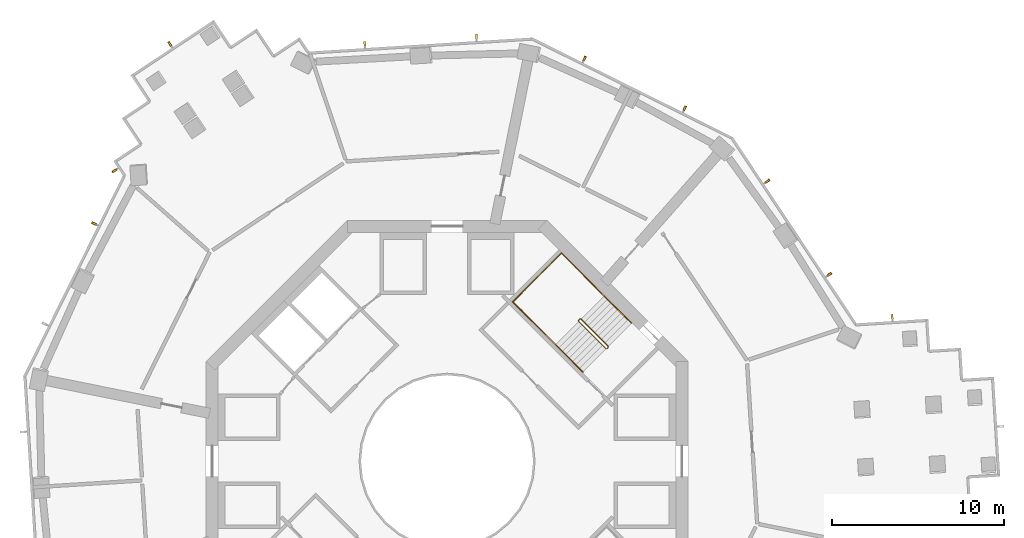
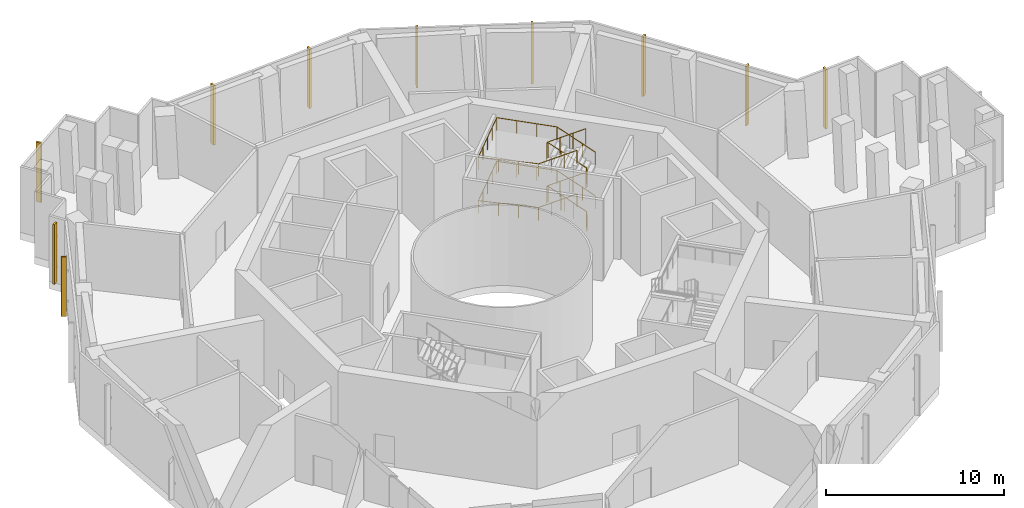
# One storey, part 16 of 16: 10 shading devices, 3 railings.
"""IFC4 building model written with IfcOpenShell, lengths in metres."""

from ifc_helpers import new_model, si_unit, direction, frame, origin, origin_2d, place, context, subcontext, project, spatial, rectangle, circle, extrude, material, material_profile, profile_set, type_object, element, save


model = new_model("IFC4")

# Units and contexts
model_context = context("Model", 3, precision=1e-05, world=origin(), true_north=direction((0.0, 1.0)))
body_context = subcontext(model_context, "Body", "Model", "MODEL_VIEW")
ifc_project = project(units=[si_unit("LENGTHUNIT", "METRE"), si_unit("AREAUNIT", "SQUARE_METRE"), si_unit("VOLUMEUNIT", "CUBIC_METRE"), si_unit("PLANEANGLEUNIT", "RADIAN"), si_unit("MASSUNIT", "GRAM", prefix="KILO")], contexts=[model_context])

# Site, building, storey
site_placement = place(None, origin())
site = spatial("IfcSite", under=ifc_project, at=site_placement, CompositionType="ELEMENT")
building_placement = place(site_placement, origin())
building = spatial("IfcBuilding", under=site, at=building_placement, Name="Verdalira Terraces Hotel", CompositionType="ELEMENT")
storey_placement = place(building_placement, frame((0.0, 0.0, 169.0)))
storey = spatial("IfcBuildingStorey", under=building, at=storey_placement, Name="L41", CompositionType="ELEMENT", Elevation=169.0)

# Railings
ifc_material_1 = material(Name="Stainless steel", Category="steel")
railing_type_1 = type_object("IfcRailingType", Name="Stair guard 1100", PredefinedType="GUARDRAIL", material=ifc_material_1)
railing_1_placement = place(storey_placement, frame((9.369141, 6.611328, 0.0)))
element("IfcRailing", 1, at=railing_1_placement, inside=storey, type_object=railing_type_1, Name="L41 ST1 stair guard 1", PredefinedType="GUARDRAIL", context=body_context, shape_type="SweptSolid", body=[
    extrude(circle(Radius=0.023926, at=origin_2d()), frame((0.0, 0.0, 1.076172), z_axis=(-0.70832698, -0.705884473, 0.0), x_axis=(0.705884473, -0.70832698, 0.0)), (0.0, 0.0, 1.0), 0.099854),
    extrude(circle(Radius=0.023926, at=origin_2d()), frame((-0.070801, -0.070557, 1.076172), z_axis=(0.308122069, 0.615181649, 0.725680598), x_axis=(-0.894118129, 0.447831187, 0.0)), (0.0, 0.0, 1.0), 0.229736),
    extrude(circle(Radius=0.023926, at=origin_2d()), frame((0.0, 0.070801, 1.242676), z_axis=(-0.607628069, 0.607628069, 0.511445266), x_axis=(-0.707106781, -0.707106781, 0.0)), (0.0, 0.0, 1.0), 2.606934),
    extrude(circle(Radius=0.023926, at=origin_2d()), frame((-1.583984, 1.654785, 2.576172), z_axis=(-1.0, 0.0, 0.0), x_axis=(0.0, -1.0, 0.0)), (0.0, 0.0, 1.0), 0.070557),
    extrude(circle(Radius=0.023926, at=origin_2d()), frame((-1.654541, 1.654785, 2.576172), z_axis=(-0.707106781, -0.707106781, 0.0), x_axis=(0.707106781, -0.707106781, 0.0)), (0.0, 0.0, 1.0), 0.100098),
    extrude(circle(Radius=0.023926, at=origin_2d()), frame((-1.725342, 1.583984, 2.576172), z_axis=(0.0, -0.389683978, 0.92094864), x_axis=(1.0, 0.0, 0.0)), (0.0, 0.0, 1.0), 0.181152),
    extrude(circle(Radius=0.023926, at=origin_2d()), frame((-1.725342, 1.513428, 2.742676), z_axis=(0.607628069, -0.607628069, 0.511445266), x_axis=(0.707106781, 0.707106781, 0.0)), (0.0, 0.0, 1.0), 2.606934),
    extrude(circle(Radius=0.023926, at=origin_2d()), frame((-0.141357, -0.070557, 4.076172), z_axis=(1.0, 0.0, 0.0), x_axis=(0.0, 1.0, 0.0)), (0.0, 0.0, 1.0), 0.070557),
    extrude(circle(Radius=0.023926, at=origin_2d()), frame((-0.070801, -0.070557, 4.076172), z_axis=(0.70832698, 0.705884473, 0.0), x_axis=(-0.705884473, 0.70832698, 0.0)), (0.0, 0.0, 1.0), 0.099854),
    extrude(circle(Radius=0.023926, at=origin_2d()), frame((0.0, 0.0, 4.076172), z_axis=(0.0, 0.390826706, 0.920464277), x_axis=(-1.0, 0.0, 0.0)), (0.0, 0.0, 1.0), 0.181152),
    extrude(circle(Radius=0.023926, at=origin_2d()), frame((0.0, 0.070801, 4.242676), z_axis=(-0.607628069, 0.607628069, 0.511445266), x_axis=(-0.707106781, -0.707106781, 0.0)), (0.0, 0.0, 1.0), 2.606934),
    extrude(circle(Radius=0.023926, at=origin_2d()), frame((-1.583984, 1.654785, 5.576172), z_axis=(-1.0, 0.0, 0.0), x_axis=(0.0, -1.0, 0.0)), (0.0, 0.0, 1.0), 0.070557),
    extrude(circle(Radius=0.023926, at=origin_2d()), frame((-1.654541, 1.654785, 5.576172), z_axis=(-0.707106781, -0.707106781, 0.0), x_axis=(0.707106781, -0.707106781, 0.0)), (0.0, 0.0, 1.0), 0.100098),
    extrude(circle(Radius=0.023926, at=origin_2d()), frame((-1.725342, 1.583984, 5.576172), z_axis=(0.0, -0.389683978, 0.92094864), x_axis=(1.0, 0.0, 0.0)), (0.0, 0.0, 1.0), 0.181152),
    extrude(circle(Radius=0.023926, at=origin_2d()), frame((-1.725342, 1.513428, 5.742676), z_axis=(0.607628069, -0.607628069, 0.511445266), x_axis=(0.707106781, 0.707106781, 0.0)), (0.0, 0.0, 1.0), 2.606934),
    extrude(circle(Radius=0.020996, at=origin_2d()), origin(), (0.0, 0.0, 1.0), 1.052002),
    extrude(circle(Radius=0.020996, at=origin_2d()), frame((-0.070801, -0.070557, 0.0)), (0.0, 0.0, 1.0), 1.052002),
    extrude(circle(Radius=0.020996, at=origin_2d()), frame((0.0, 0.070801, 0.166748)), (0.0, 0.0, 1.0), 1.052002),
    extrude(circle(Radius=0.020996, at=origin_2d()), frame((-0.528076, 0.598877, 0.611084)), (0.0, 0.0, 1.0), 1.052002),
    extrude(circle(Radius=0.020996, at=origin_2d()), frame((-1.055908, 1.126709, 1.055664)), (0.0, 0.0, 1.0), 1.052002),
    extrude(circle(Radius=0.020996, at=origin_2d()), frame((-1.583984, 1.654785, 1.5)), (0.0, 0.0, 1.0), 1.052002),
    extrude(circle(Radius=0.020996, at=origin_2d()), frame((-1.654541, 1.654785, 1.5)), (0.0, 0.0, 1.0), 1.052002),
    extrude(circle(Radius=0.020996, at=origin_2d()), frame((-1.725342, 1.583984, 1.5)), (0.0, 0.0, 1.0), 1.052002),
    extrude(circle(Radius=0.020996, at=origin_2d()), frame((-1.725342, 1.513428, 1.666748)), (0.0, 0.0, 1.0), 1.052002),
    extrude(circle(Radius=0.020996, at=origin_2d()), frame((-1.197266, 0.985352, 2.111084)), (0.0, 0.0, 1.0), 1.052002),
    extrude(circle(Radius=0.020996, at=origin_2d()), frame((-0.669434, 0.45752, 2.555664)), (0.0, 0.0, 1.0), 1.052002),
    extrude(circle(Radius=0.020996, at=origin_2d()), frame((-0.141357, -0.070557, 3.0)), (0.0, 0.0, 1.0), 1.052002),
    extrude(circle(Radius=0.020996, at=origin_2d()), frame((-0.070801, -0.070557, 3.0)), (0.0, 0.0, 1.0), 1.052002),
    extrude(circle(Radius=0.020996, at=origin_2d()), frame((0.0, 0.0, 3.0)), (0.0, 0.0, 1.0), 1.052002),
    extrude(circle(Radius=0.020996, at=origin_2d()), frame((0.0, 0.070801, 3.166748)), (0.0, 0.0, 1.0), 1.052002),
    extrude(circle(Radius=0.020996, at=origin_2d()), frame((-0.528076, 0.598877, 3.611084)), (0.0, 0.0, 1.0), 1.052002),
    extrude(circle(Radius=0.020996, at=origin_2d()), frame((-1.055908, 1.126709, 4.055664)), (0.0, 0.0, 1.0), 1.052002),
    extrude(circle(Radius=0.020996, at=origin_2d()), frame((-1.583984, 1.654785, 4.5)), (0.0, 0.0, 1.0), 1.052002),
    extrude(circle(Radius=0.020996, at=origin_2d()), frame((-1.654541, 1.654785, 4.5)), (0.0, 0.0, 1.0), 1.052002),
    extrude(circle(Radius=0.020996, at=origin_2d()), frame((-1.725342, 1.583984, 4.5)), (0.0, 0.0, 1.0), 1.052002),
    extrude(circle(Radius=0.020996, at=origin_2d()), frame((-1.725342, 1.513428, 4.666748)), (0.0, 0.0, 1.0), 1.052002),
    extrude(circle(Radius=0.020996, at=origin_2d()), frame((-1.197266, 0.985352, 5.111084)), (0.0, 0.0, 1.0), 1.052002),
    extrude(circle(Radius=0.020996, at=origin_2d()), frame((-0.669434, 0.45752, 5.555664)), (0.0, 0.0, 1.0), 1.052002),
    extrude(circle(Radius=0.020996, at=origin_2d()), frame((-0.141357, -0.070557, 6.0)), (0.0, 0.0, 1.0), 1.052002),
])
ifc_material_2 = material(Name="Stainless steel", Category="steel")
railing_type_2 = type_object("IfcRailingType", Name="Stair handrail 900", PredefinedType="HANDRAIL", material=ifc_material_2)
railing_2_placement = place(storey_placement, frame((10.712646, 8.025635, 0.166748)))
element("IfcRailing", 2, at=railing_2_placement, inside=storey, type_object=railing_type_2, Name="L41 ST1 stair handrail 1", PredefinedType="HANDRAIL", context=body_context, shape_type="SweptSolid", body=[
    extrude(circle(Radius=0.023926, at=origin_2d()), frame((0.0, 0.0, 0.875977), z_axis=(-0.607628069, 0.607628069, 0.511445266), x_axis=(-0.707106781, -0.707106781, 0.0)), (0.0, 0.0, 1.0), 2.606934),
    extrude(circle(Radius=0.023926, at=origin_2d()), frame((-1.583984, 1.583984, 2.208984), z_axis=(-0.707106781, 0.707106781, 0.0), x_axis=(-0.707106781, -0.707106781, 0.0)), (0.0, 0.0, 1.0), 3.51001),
    extrude(circle(Radius=0.023926, at=origin_2d()), frame((-4.065918, 4.065918, 2.208984), z_axis=(-0.707106781, -0.707106781, 0.0), x_axis=(0.707106781, -0.707106781, 0.0)), (0.0, 0.0, 1.0), 4.0),
    extrude(circle(Radius=0.023926, at=origin_2d()), frame((-6.894287, 1.237549, 2.208984), z_axis=(0.706310197, -0.706310197, 0.047453262), x_axis=(0.707106781, 0.707106781, 0.0)), (0.0, 0.0, 1.0), 3.513916),
    extrude(circle(Radius=0.023926, at=origin_2d()), frame((-4.412354, -1.244385, 2.375977), z_axis=(0.607628069, -0.607628069, 0.511445266), x_axis=(0.707106781, 0.707106781, 0.0)), (0.0, 0.0, 1.0), 2.606934),
    extrude(circle(Radius=0.020996, at=origin_2d()), origin(), (0.0, 0.0, 1.0), 0.851807),
    extrude(circle(Radius=0.020996, at=origin_2d()), frame((-0.528076, 0.528076, 0.444336)), (0.0, 0.0, 1.0), 0.851807),
    extrude(circle(Radius=0.020996, at=origin_2d()), frame((-1.055908, 1.055908, 0.888916)), (0.0, 0.0, 1.0), 0.851807),
    extrude(circle(Radius=0.020996, at=origin_2d()), frame((-1.583984, 1.583984, 1.333252)), (0.0, 0.0, 1.0), 0.851807),
    extrude(circle(Radius=0.020996, at=origin_2d()), frame((-2.411377, 2.411377, 1.333252)), (0.0, 0.0, 1.0), 0.851807),
    extrude(circle(Radius=0.020996, at=origin_2d()), frame((-3.238525, 3.238525, 1.333252)), (0.0, 0.0, 1.0), 0.851807),
    extrude(circle(Radius=0.020996, at=origin_2d()), frame((-4.065918, 4.065918, 1.333252)), (0.0, 0.0, 1.0), 0.851807),
    extrude(circle(Radius=0.020996, at=origin_2d()), frame((-4.772949, 3.358887, 1.333252)), (0.0, 0.0, 1.0), 0.851807),
    extrude(circle(Radius=0.020996, at=origin_2d()), frame((-5.47998, 2.651855, 1.333252)), (0.0, 0.0, 1.0), 0.851807),
    extrude(circle(Radius=0.020996, at=origin_2d()), frame((-6.187256, 1.94458, 1.333252)), (0.0, 0.0, 1.0), 0.851807),
    extrude(circle(Radius=0.020996, at=origin_2d()), frame((-6.894287, 1.237549, 1.333252)), (0.0, 0.0, 1.0), 0.851807),
    extrude(circle(Radius=0.020996, at=origin_2d()), frame((-6.066895, 0.410156, 1.388916)), (0.0, 0.0, 1.0), 0.851807),
    extrude(circle(Radius=0.020996, at=origin_2d()), frame((-5.239746, -0.416992, 1.444336)), (0.0, 0.0, 1.0), 0.851807),
    extrude(circle(Radius=0.020996, at=origin_2d()), frame((-4.412354, -1.244385, 1.5)), (0.0, 0.0, 1.0), 0.851807),
    extrude(circle(Radius=0.020996, at=origin_2d()), frame((-3.884277, -1.772461, 1.944336)), (0.0, 0.0, 1.0), 0.851807),
    extrude(circle(Radius=0.020996, at=origin_2d()), frame((-3.356445, -2.300293, 2.388916)), (0.0, 0.0, 1.0), 0.851807),
    extrude(circle(Radius=0.020996, at=origin_2d()), frame((-2.828369, -2.828369, 2.833252)), (0.0, 0.0, 1.0), 0.851807),
])
railing_3_placement = place(storey_placement, frame((10.712646, 8.025635, 3.166748)))
element("IfcRailing", 3, at=railing_3_placement, inside=storey, type_object=railing_type_2, Name="L41 ST1 stair handrail 2", PredefinedType="HANDRAIL", context=body_context, shape_type="SweptSolid", body=[
    extrude(circle(Radius=0.023926, at=origin_2d()), frame((0.0, 0.0, 0.875977), z_axis=(-0.607628069, 0.607628069, 0.511445266), x_axis=(-0.707106781, -0.707106781, 0.0)), (0.0, 0.0, 1.0), 2.606934),
    extrude(circle(Radius=0.023926, at=origin_2d()), frame((-1.583984, 1.583984, 2.208984), z_axis=(-0.707106781, 0.707106781, 0.0), x_axis=(-0.707106781, -0.707106781, 0.0)), (0.0, 0.0, 1.0), 3.51001),
    extrude(circle(Radius=0.023926, at=origin_2d()), frame((-4.065918, 4.065918, 2.208984), z_axis=(-0.707106781, -0.707106781, 0.0), x_axis=(0.707106781, -0.707106781, 0.0)), (0.0, 0.0, 1.0), 4.0),
    extrude(circle(Radius=0.023926, at=origin_2d()), frame((-6.894287, 1.237549, 2.208984), z_axis=(0.706310197, -0.706310197, 0.047453262), x_axis=(0.707106781, 0.707106781, 0.0)), (0.0, 0.0, 1.0), 3.513916),
    extrude(circle(Radius=0.023926, at=origin_2d()), frame((-4.412354, -1.244385, 2.375977), z_axis=(0.607628069, -0.607628069, 0.511445266), x_axis=(0.707106781, 0.707106781, 0.0)), (0.0, 0.0, 1.0), 2.606934),
    extrude(circle(Radius=0.020996, at=origin_2d()), origin(), (0.0, 0.0, 1.0), 0.851807),
    extrude(circle(Radius=0.020996, at=origin_2d()), frame((-0.528076, 0.528076, 0.444336)), (0.0, 0.0, 1.0), 0.851807),
    extrude(circle(Radius=0.020996, at=origin_2d()), frame((-1.055908, 1.055908, 0.888916)), (0.0, 0.0, 1.0), 0.851807),
    extrude(circle(Radius=0.020996, at=origin_2d()), frame((-1.583984, 1.583984, 1.333252)), (0.0, 0.0, 1.0), 0.851807),
    extrude(circle(Radius=0.020996, at=origin_2d()), frame((-2.411377, 2.411377, 1.333252)), (0.0, 0.0, 1.0), 0.851807),
    extrude(circle(Radius=0.020996, at=origin_2d()), frame((-3.238525, 3.238525, 1.333252)), (0.0, 0.0, 1.0), 0.851807),
    extrude(circle(Radius=0.020996, at=origin_2d()), frame((-4.065918, 4.065918, 1.333252)), (0.0, 0.0, 1.0), 0.851807),
    extrude(circle(Radius=0.020996, at=origin_2d()), frame((-4.772949, 3.358887, 1.333252)), (0.0, 0.0, 1.0), 0.851807),
    extrude(circle(Radius=0.020996, at=origin_2d()), frame((-5.47998, 2.651855, 1.333252)), (0.0, 0.0, 1.0), 0.851807),
    extrude(circle(Radius=0.020996, at=origin_2d()), frame((-6.187256, 1.94458, 1.333252)), (0.0, 0.0, 1.0), 0.851807),
    extrude(circle(Radius=0.020996, at=origin_2d()), frame((-6.894287, 1.237549, 1.333252)), (0.0, 0.0, 1.0), 0.851807),
    extrude(circle(Radius=0.020996, at=origin_2d()), frame((-6.066895, 0.410156, 1.388916)), (0.0, 0.0, 1.0), 0.851807),
    extrude(circle(Radius=0.020996, at=origin_2d()), frame((-5.239746, -0.416992, 1.444336)), (0.0, 0.0, 1.0), 0.851807),
    extrude(circle(Radius=0.020996, at=origin_2d()), frame((-4.412354, -1.244385, 1.5)), (0.0, 0.0, 1.0), 0.851807),
    extrude(circle(Radius=0.020996, at=origin_2d()), frame((-3.884277, -1.772461, 1.944336)), (0.0, 0.0, 1.0), 0.851807),
    extrude(circle(Radius=0.020996, at=origin_2d()), frame((-3.356445, -2.300293, 2.388916)), (0.0, 0.0, 1.0), 0.851807),
    extrude(circle(Radius=0.020996, at=origin_2d()), frame((-2.828369, -2.828369, 2.833252)), (0.0, 0.0, 1.0), 0.851807),
])

# Shading devices
ifc_material_3 = material(Name="Terracotta frame", Category="masonry")
ifc_material_profile = material_profile(ifc_material_3, rectangle(XDim=0.120117, YDim=0.300049, at=origin_2d()), Name="FIN 120x300")
ifc_profile_set = profile_set([ifc_material_profile], Name="Terracotta frame")
shading_device_type = type_object("IfcShadingDeviceType", Name="Terracotta fin 120x300", PredefinedType="USERDEFINED", material=ifc_profile_set)
for number, where, z_axis, x_axis, name in (
    (4, (-16.108398, 24.244873, 0.199951), (0.0, 0.0, 1.0), (-0.832921241, -0.553391549, 0.0), "Terracotta fin"),
    (5, (-19.323242, 16.88623, 0.199951), (0.0, 0.0, 1.0), (0.553391549, -0.832921241, 0.0), "Terracotta fin"),
    (6, (-20.507324, 13.80835, 0.199951), (0.0, 0.0, 1.0), (-0.444635179, -0.89571176, 0.0), "Terracotta fin"),
    (7, (25.865723, 8.390625, 0.199951), (0.0, 0.0, 1.0), (-0.998026728, -0.06279052, 0.0), "Terracotta fin"),
    (8, (22.211914, 10.855713, 0.199951), (0.0, 0.0, 1.0), (-0.553391549, 0.832921241, 0.0), "Terracotta fin"),
    (9, (18.61499, 16.269775, 0.199951), (0.0, 0.0, 1.0), (-0.553391549, 0.832921241, 0.0), "Terracotta fin"),
    (10, (13.80835, 20.507324, 0.199951), (0.0, 0.0, 1.0), (-0.89571176, 0.444635179, 0.0), "Terracotta fin"),
    (11, (7.986084, 23.397461, 0.199951), (0.0, 0.0, 1.0), (-0.89571176, 0.444635179, 0.0), "Terracotta fin"),
    (12, (1.70459, 24.664062, 0.199951), (0.0, 0.0, 1.0), (-0.998026728, -0.06279052, 0.0), "Terracotta fin"),
    (13, (-4.782471, 24.255859, 0.199951), (0.0, 0.0, 1.0), (-0.998026728, -0.06279052, 0.0), "Terracotta fin"),
):
    element("IfcShadingDevice", number, at=place(storey_placement, frame(where, z_axis=z_axis, x_axis=x_axis)), inside=storey, type_object=shading_device_type, Name=name, ObjectType="FIN", PredefinedType="USERDEFINED", context=body_context, shape_type="SweptSolid", body=[
        extrude(rectangle(XDim=0.120117, YDim=0.300049, at=origin_2d()), origin(), (0.0, 0.0, 1.0), 4.100098),
    ])

save(model, "model.ifc")
